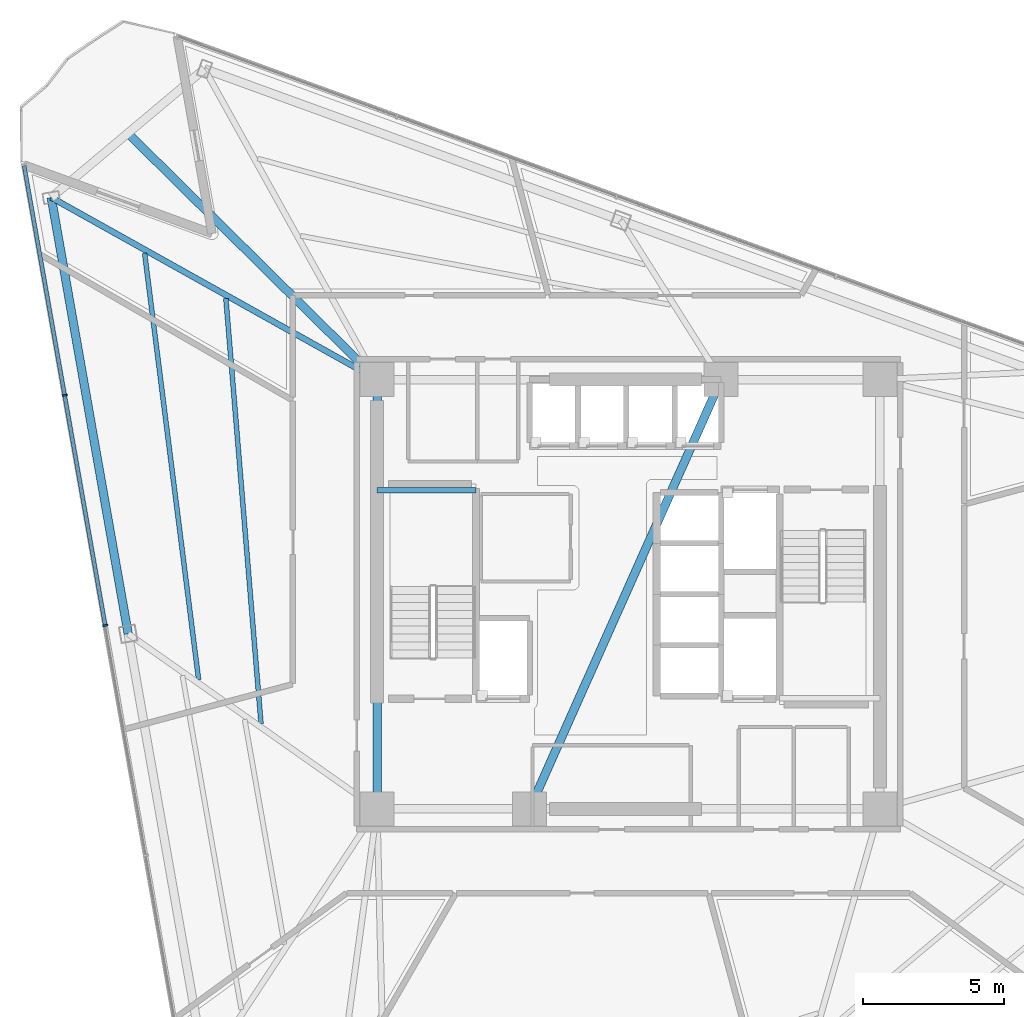
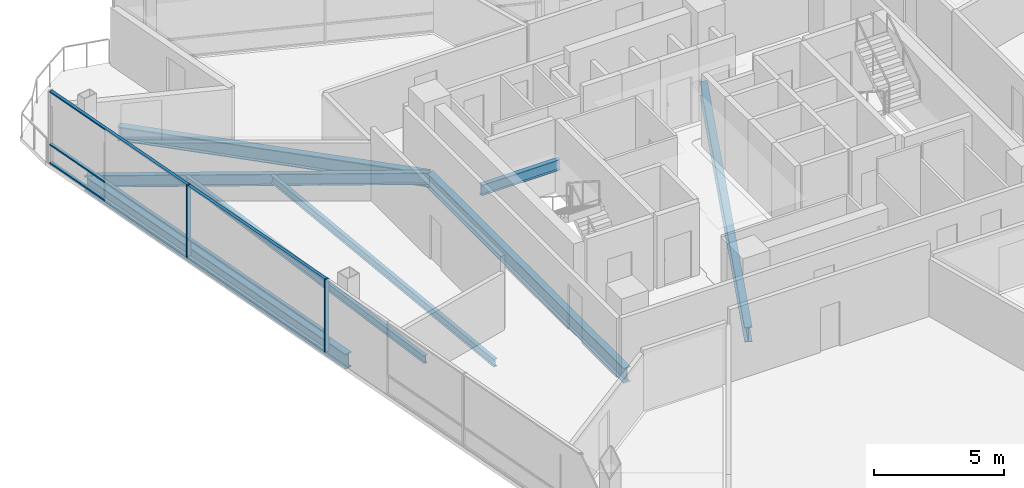
# One storey, part 5 of 15: 8 beams, 8 members, 1 element without a shape of its own.
"""IFC4 building model written with IfcOpenShell, lengths in metres."""

from ifc_helpers import new_model, si_unit, direction, frame, origin, origin_2d, place, context, subcontext, project, spatial, rectangle, i_section, extrude, material, layer, layer_set, material_profile, profile_set, type_object, element, aggregate, save


model = new_model("IFC4")

# Units and contexts
model_context = context("Model", 3, precision=1e-05, world=origin(), true_north=direction((0.0, 1.0)))
body_context = subcontext(model_context, "Body", "Model", "MODEL_VIEW")
ifc_project = project(units=[si_unit("LENGTHUNIT", "METRE"), si_unit("AREAUNIT", "SQUARE_METRE"), si_unit("VOLUMEUNIT", "CUBIC_METRE"), si_unit("PLANEANGLEUNIT", "RADIAN"), si_unit("MASSUNIT", "GRAM", prefix="KILO")], contexts=[model_context])

# Site, building, storey
site_placement = place(None, origin())
site = spatial("IfcSite", under=ifc_project, at=site_placement, CompositionType="ELEMENT")
building_placement = place(site_placement, origin())
building = spatial("IfcBuilding", under=site, at=building_placement, Name="Tharavind Bronze Gate", CompositionType="ELEMENT")
storey_placement = place(building_placement, frame((0.0, 0.0, 177.699951171875)))
storey = spatial("IfcBuildingStorey", under=building, at=storey_placement, Name="L45", CompositionType="ELEMENT", Elevation=177.699951171875)

# Curtain wall, members
ifc_material_1 = material(Name="Anodised Bronze Aluminium", Category="aluminium")
ifc_layer = layer(ifc_material_1, 0.219970703125)
ifc_layer_set = layer_set([ifc_layer], Name="Anodised Bronze Aluminium")
curtain_wall_type = type_object("IfcCurtainWallType", Name="UNITISED CURTAIN WALL MID OFFICE", PredefinedType="USERDEFINED", material=ifc_layer_set)
curtain_wall_placement = place(storey_placement, origin())
curtain_wall = element("IfcCurtainWall", 1, at=curtain_wall_placement, inside=storey, type_object=curtain_wall_type, Name="L45 unitised curtain wall mid office CW-L45-S1", ObjectType="UNITISED CURTAIN WALL", PredefinedType="USERDEFINED")
member_type_1 = type_object("IfcMemberType", Name="CURTAIN WALL BRONZE MULLION 65X180", PredefinedType="MULLION", material=ifc_material_1)
member_1_placement = place(storey_placement, frame((-19.9599609375, 7.044677734375, 0.0), z_axis=(0.0, 0.0, 1.0), x_axis=(0.173648177667, -0.984807753012, 0.0)))
member_1 = element("IfcMember", 2, at=member_1_placement, type_object=member_type_1, Name="CW-L45-S1 mullion 2", PredefinedType="MULLION", context=body_context, shape_type="SweptSolid", body=[
    extrude(rectangle(XDim=0.06494140625, YDim=0.179931640625, at=origin_2d()), origin(), (0.0, 0.0, 1.0), 3.419921875),
])
member_2_placement = place(storey_placement, frame((-18.5234375, -1.10302734375, 0.0), z_axis=(0.0, 0.0, 1.0), x_axis=(0.173648177667, -0.984807753012, 0.0)))
member_2 = element("IfcMember", 3, at=member_2_placement, type_object=member_type_1, Name="CW-L45-S1 mullion 3", PredefinedType="MULLION", context=body_context, shape_type="SweptSolid", body=[
    extrude(rectangle(XDim=0.06494140625, YDim=0.179931640625, at=origin_2d()), origin(), (0.0, 0.0, 1.0), 3.419921875),
])
member_type_2 = type_object("IfcMemberType", Name="CURTAIN WALL BRONZE TRANSOM 65X140", PredefinedType="USERDEFINED", material=ifc_material_1)
member_3_placement = place(storey_placement, frame((-20.678466796875, 11.118408203125, 0.0), z_axis=(0.0, 0.0, 1.0), x_axis=(0.173648177667, -0.984807753012, 0.0)))
member_3 = element("IfcMember", 4, at=member_3_placement, type_object=member_type_2, Name="CW-L45-S1 transom TB1", ObjectType="TRANSOM", PredefinedType="USERDEFINED", context=body_context, shape_type="SweptSolid", body=[
    extrude(rectangle(XDim=8.220458984375, YDim=0.139892578125, at=origin_2d()), origin(), (0.0, 0.0, 1.0), 0.06494140625),
])
member_4_placement = place(storey_placement, frame((-20.678466796875, 11.118408203125, 0.86767578125), z_axis=(0.0, 0.0, 1.0), x_axis=(0.173648177667, -0.984807753012, 0.0)))
member_4 = element("IfcMember", 5, at=member_4_placement, type_object=member_type_2, Name="CW-L45-S1 transom TS1", ObjectType="TRANSOM", PredefinedType="USERDEFINED", context=body_context, shape_type="SweptSolid", body=[
    extrude(rectangle(XDim=8.220458984375, YDim=0.139892578125, at=origin_2d()), origin(), (0.0, 0.0, 1.0), 0.06494140625),
])
member_5_placement = place(storey_placement, frame((-20.678466796875, 11.118408203125, 3.35498046875), z_axis=(0.0, 0.0, 1.0), x_axis=(0.173648177667, -0.984807753012, 0.0)))
member_5 = element("IfcMember", 6, at=member_5_placement, type_object=member_type_2, Name="CW-L45-S1 transom TT1", ObjectType="TRANSOM", PredefinedType="USERDEFINED", context=body_context, shape_type="SweptSolid", body=[
    extrude(rectangle(XDim=8.220458984375, YDim=0.139892578125, at=origin_2d()), origin(), (0.0, 0.0, 1.0), 0.06494140625),
])
member_6_placement = place(storey_placement, frame((-19.24169921875, 2.970703125, 0.0), z_axis=(0.0, 0.0, 1.0), x_axis=(0.173648177667, -0.984807753012, 0.0)))
member_6 = element("IfcMember", 7, at=member_6_placement, type_object=member_type_2, Name="CW-L45-S1 transom TB2", ObjectType="TRANSOM", PredefinedType="USERDEFINED", context=body_context, shape_type="SweptSolid", body=[
    extrude(rectangle(XDim=8.220458984375, YDim=0.139892578125, at=origin_2d()), origin(), (0.0, 0.0, 1.0), 0.06494140625),
])
member_7_placement = place(storey_placement, frame((-19.24169921875, 2.970703125, 0.86767578125), z_axis=(0.0, 0.0, 1.0), x_axis=(0.173648177667, -0.984807753012, 0.0)))
member_7 = element("IfcMember", 8, at=member_7_placement, type_object=member_type_2, Name="CW-L45-S1 transom TS2", ObjectType="TRANSOM", PredefinedType="USERDEFINED", context=body_context, shape_type="SweptSolid", body=[
    extrude(rectangle(XDim=8.220458984375, YDim=0.139892578125, at=origin_2d()), origin(), (0.0, 0.0, 1.0), 0.06494140625),
])
member_8_placement = place(storey_placement, frame((-19.24169921875, 2.970703125, 3.35498046875), z_axis=(0.0, 0.0, 1.0), x_axis=(0.173648177667, -0.984807753012, 0.0)))
member_8 = element("IfcMember", 9, at=member_8_placement, type_object=member_type_2, Name="CW-L45-S1 transom TT2", ObjectType="TRANSOM", PredefinedType="USERDEFINED", context=body_context, shape_type="SweptSolid", body=[
    extrude(rectangle(XDim=8.220458984375, YDim=0.139892578125, at=origin_2d()), origin(), (0.0, 0.0, 1.0), 0.06494140625),
])
aggregate(curtain_wall, [member_1, member_2, member_3, member_4, member_5, member_6, member_7, member_8])

# Beams
ifc_material_2 = material(Name="Steel S355", Category="steel")
ifc_material_profile_1 = material_profile(ifc_material_2, i_section(OverallWidth=0.300048828125, OverallDepth=0.64990234375, WebThickness=0.01611328125, FlangeThickness=0.031005859375, at=origin_2d()), Name="HE650B")
ifc_profile_set_1 = profile_set([ifc_material_profile_1], Name="Steel S355")
beam_type_1 = type_object("IfcBeamType", Name="PRIMARY GIRDER HE650B", PredefinedType="USERDEFINED", material=ifc_profile_set_1)
beam_1_placement = place(storey_placement, frame((-8.89990234375, 7.60009765625, -0.5048828125), z_axis=(-0.711218760843, 0.702970749196, 0.0), x_axis=(-0.702970749196, -0.711218760843, 0.0)))
element("IfcBeam", 10, at=beam_1_placement, inside=storey, type_object=beam_type_1, Name="L45 primary girder he650b BM-L45-BLCSB", ObjectType="GIRDER", PredefinedType="USERDEFINED", context=body_context, shape_type="SweptSolid", body=[
    extrude(i_section(OverallWidth=0.300048828125, OverallDepth=0.64990234375, WebThickness=0.01611328125, FlangeThickness=0.031005859375, at=origin_2d()), origin(), (0.0, 0.0, 1.0), 12.40234375),
])
ifc_material_profile_2 = material_profile(ifc_material_2, i_section(OverallWidth=0.199951171875, OverallDepth=0.5, WebThickness=0.01025390625, FlangeThickness=0.01611328125, at=origin_2d()), Name="IPE500")
ifc_profile_set_2 = profile_set([ifc_material_profile_2], Name="Steel S355")
beam_type_2 = type_object("IfcBeamType", Name="PRIMARY GIRDER IPE500", PredefinedType="USERDEFINED", material=ifc_profile_set_2)
beam_2_placement = place(storey_placement, frame((-8.89990234375, 3.679931640625, 1.35009765625), z_axis=(1.0, 0.0, 0.0), x_axis=(0.0, 1.0, 0.0)))
element("IfcBeam", 11, at=beam_2_placement, inside=storey, type_object=beam_type_2, Name="L45 primary girder ipe500 BM-LD-ST1-L45-1", ObjectType="GIRDER", PredefinedType="USERDEFINED", context=body_context, shape_type="SweptSolid", body=[
    extrude(i_section(OverallWidth=0.199951171875, OverallDepth=0.5, WebThickness=0.01025390625, FlangeThickness=0.01611328125, at=origin_2d()), origin(), (0.0, 0.0, 1.0), 3.5),
])
ifc_material_profile_3 = material_profile(ifc_material_2, i_section(OverallWidth=0.2099609375, OverallDepth=0.550048828125, WebThickness=0.010986328125, FlangeThickness=0.01708984375, at=origin_2d()), Name="IPE550")
ifc_profile_set_3 = profile_set([ifc_material_profile_3], Name="Steel S355")
beam_type_3 = type_object("IfcBeamType", Name="PRIMARY GIRDER IPE550", PredefinedType="USERDEFINED", material=ifc_profile_set_3)
beam_3_placement = place(storey_placement, frame((-20.4326171875, 14.043212890625, -0.454833984375), z_axis=(0.872996251482, -0.487726916315, 0.0), x_axis=(0.487726916315, 0.872996251482, 0.0)))
element("IfcBeam", 12, at=beam_3_placement, inside=storey, type_object=beam_type_3, Name="L45 primary girder ipe550 BM-L45-RAD01", ObjectType="GIRDER", PredefinedType="USERDEFINED", context=body_context, shape_type="SweptSolid", body=[
    extrude(i_section(OverallWidth=0.2099609375, OverallDepth=0.550048828125, WebThickness=0.010986328125, FlangeThickness=0.01708984375, at=origin_2d()), origin(), (0.0, 0.0, 1.0), 13.21044921875),
])
ifc_material_profile_4 = material_profile(ifc_material_2, i_section(OverallWidth=0.300048828125, OverallDepth=0.699951171875, WebThickness=0.01708984375, FlangeThickness=0.031982421875, at=origin_2d()), Name="HE700B")
ifc_profile_set_4 = profile_set([ifc_material_profile_4], Name="Steel S355")
beam_type_4 = type_object("IfcBeamType", Name="RING GIRDER HE700B", PredefinedType="USERDEFINED", material=ifc_profile_set_4)
beam_4_placement = place(storey_placement, frame((-8.89990234375, 7.60009765625, -0.530029296875), z_axis=(0.0, -1.0, 0.0), x_axis=(1.0, 0.0, 0.0)))
element("IfcBeam", 13, at=beam_4_placement, inside=storey, type_object=beam_type_4, Name="L45 ring girder he700b BM-L45-CR6", ObjectType="GIRDER", PredefinedType="USERDEFINED", context=body_context, shape_type="SweptSolid", body=[
    extrude(i_section(OverallWidth=0.300048828125, OverallDepth=0.699951171875, WebThickness=0.01708984375, FlangeThickness=0.031982421875, at=origin_2d()), origin(), (0.0, 0.0, 1.0), 15.2001953125),
])
beam_5_placement = place(storey_placement, frame((-3.5, -7.60009765625, -0.530029296875), z_axis=(0.407361644566, 0.913266932795, 0.0), x_axis=(-0.913266932795, 0.407361644566, 0.0)))
element("IfcBeam", 14, at=beam_5_placement, inside=storey, type_object=beam_type_4, Name="L45 ring girder he700b BM-L45-CR7", ObjectType="GIRDER", PredefinedType="USERDEFINED", context=body_context, shape_type="SweptSolid", body=[
    extrude(i_section(OverallWidth=0.300048828125, OverallDepth=0.699951171875, WebThickness=0.01708984375, FlangeThickness=0.031982421875, at=origin_2d()), origin(), (0.0, 0.0, 1.0), 16.643798828125),
])
beam_6_placement = place(storey_placement, frame((-20.4326171875, 14.043212890625, -0.530029296875), z_axis=(0.173644998979, -0.984808313495, 0.0), x_axis=(0.984808313495, 0.173644998979, 0.0)))
element("IfcBeam", 15, at=beam_6_placement, inside=storey, type_object=beam_type_4, Name="L45 ring girder he700b BM-L45-PRG01", ObjectType="GIRDER", PredefinedType="USERDEFINED", context=body_context, shape_type="SweptSolid", body=[
    extrude(i_section(OverallWidth=0.300048828125, OverallDepth=0.699951171875, WebThickness=0.01708984375, FlangeThickness=0.031982421875, at=origin_2d()), origin(), (0.0, 0.0, 1.0), 15.680908203125),
])
ifc_material_profile_5 = material_profile(ifc_material_2, i_section(OverallWidth=0.169921875, OverallDepth=0.360107421875, WebThickness=0.008056640625, FlangeThickness=0.0126953125, at=origin_2d()), Name="IPE360")
ifc_profile_set_5 = profile_set([ifc_material_profile_5], Name="Steel S355")
beam_type_5 = type_object("IfcBeamType", Name="SECONDARY FLOOR JOIST IPE360", PredefinedType="JOIST", material=ifc_profile_set_5)
beam_7_placement = place(storey_placement, frame((-14.251953125, 10.466064453125, -0.35986328125), z_axis=(0.082410961919, -0.996598431343, 0.0), x_axis=(0.996598431343, 0.082410961919, 0.0)))
element("IfcBeam", 16, at=beam_7_placement, inside=storey, type_object=beam_type_5, Name="L45 secondary floor joist ipe360 BM-L45-JSTA01", PredefinedType="JOIST", context=body_context, shape_type="SweptSolid", body=[
    extrude(i_section(OverallWidth=0.169921875, OverallDepth=0.360107421875, WebThickness=0.008056640625, FlangeThickness=0.0126953125, at=origin_2d()), origin(), (0.0, 0.0, 1.0), 15.09375),
])
beam_8_placement = place(storey_placement, frame((-17.12890625, 12.073486328125, -0.35986328125), z_axis=(0.125636159432, -0.992076385891, 0.0), x_axis=(0.992076385891, 0.125636159432, 0.0)))
element("IfcBeam", 17, at=beam_8_placement, inside=storey, type_object=beam_type_5, Name="L45 secondary floor joist ipe360 BM-L45-JSTB01", PredefinedType="JOIST", context=body_context, shape_type="SweptSolid", body=[
    extrude(i_section(OverallWidth=0.169921875, OverallDepth=0.360107421875, WebThickness=0.008056640625, FlangeThickness=0.0126953125, at=origin_2d()), origin(), (0.0, 0.0, 1.0), 15.215576171875),
])

save(model, "model.ifc")
